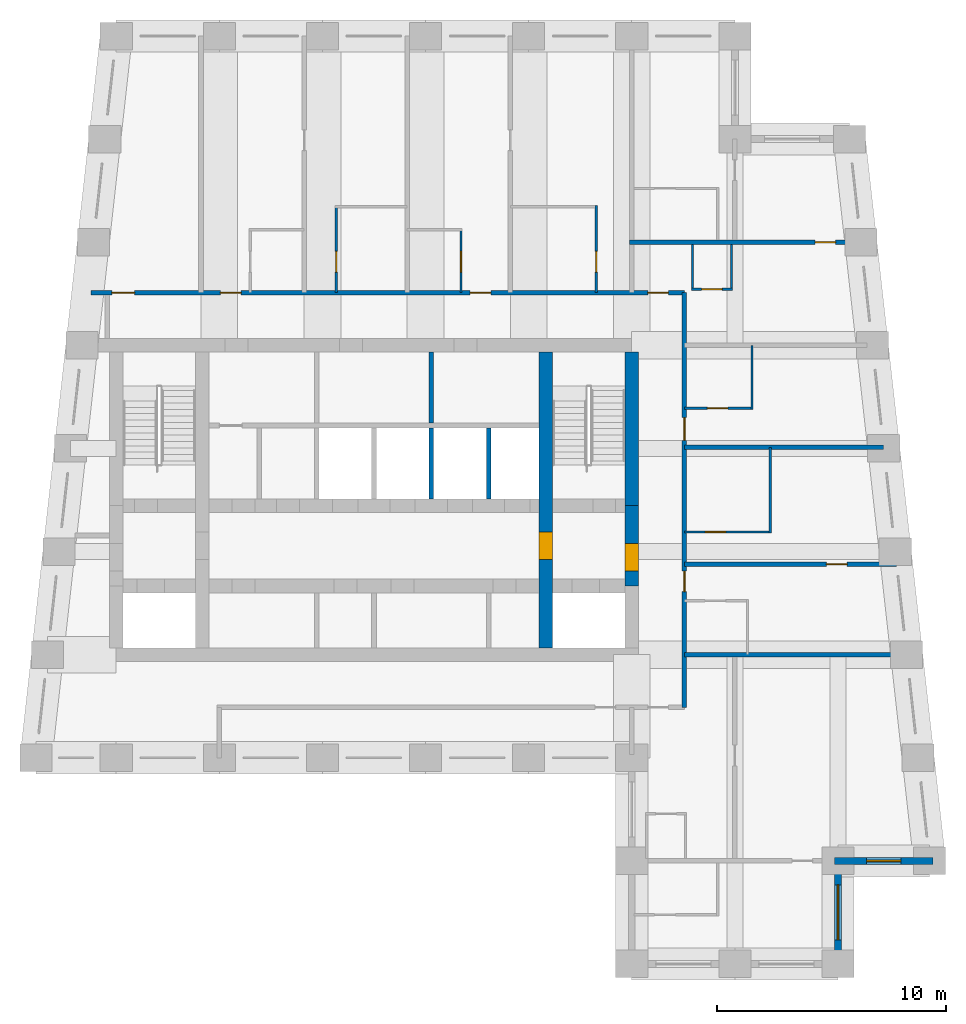
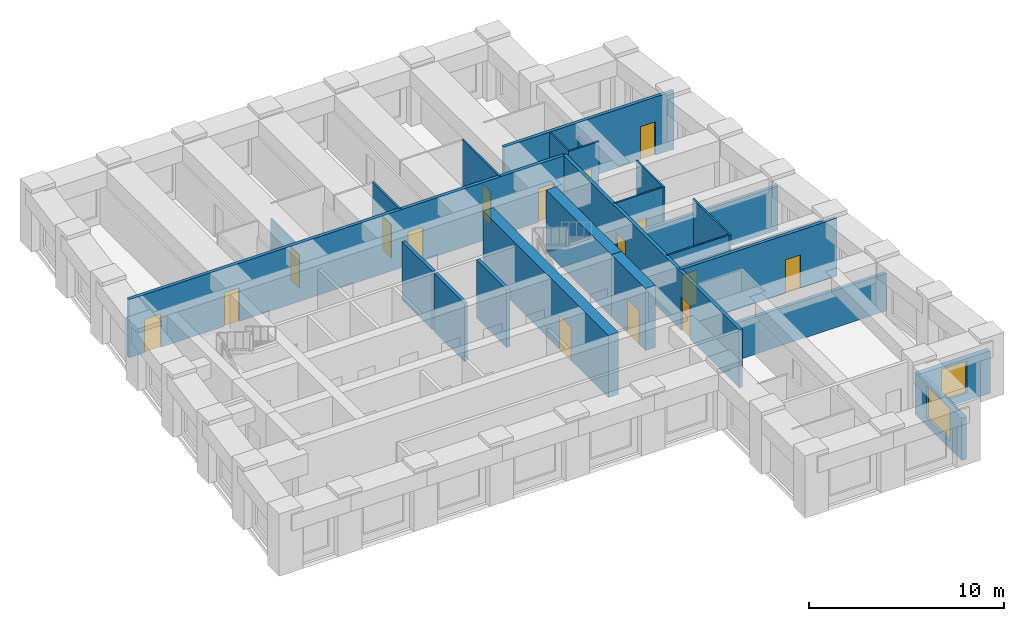
# One storey, part 4 of 7: 24 walls, 16 doors, 2 windows, 18 openings.
"""IFC4 building model written with IfcOpenShell, lengths in metres."""

from ifc_helpers import new_model, si_unit, direction, frame, frame_2d, origin, place, context, subcontext, project, spatial, rectangle, extrude, material, layer, layer_set, type_object, element, fill, save


model = new_model("IFC4")

# Units and contexts
model_context = context("Model", 3, precision=1e-05, world=origin(), true_north=direction((0.0, 1.0)))
body_context = subcontext(model_context, "Body", "Model", "MODEL_VIEW")
ifc_project = project(units=[si_unit("LENGTHUNIT", "METRE"), si_unit("AREAUNIT", "SQUARE_METRE"), si_unit("VOLUMEUNIT", "CUBIC_METRE"), si_unit("PLANEANGLEUNIT", "RADIAN"), si_unit("MASSUNIT", "GRAM", prefix="KILO")], contexts=[model_context])

# Site, building, storey
site_placement = place(None, origin())
site = spatial("IfcSite", under=ifc_project, at=site_placement, CompositionType="ELEMENT")
building_placement = place(site_placement, origin())
building = spatial("IfcBuilding", under=site, at=building_placement, Name="Kilele Tower Hotel", CompositionType="ELEMENT")
storey_placement = place(building_placement, frame((0.0, 0.0, 262.39990234375)))
storey = spatial("IfcBuildingStorey", under=building, at=storey_placement, Name="L67", CompositionType="ELEMENT", Elevation=262.39990234375)

# Wall
ifc_material_1 = material(Name="Moisture-resistant board")
ifc_layer_1 = layer(ifc_material_1, 0.10009765625)
ifc_layer_set_1 = layer_set([ifc_layer_1], Name="Moisture-resistant board")
wall_type_1 = type_object("IfcWallType", Name="Bathroom partition 100", PredefinedType="PLUMBINGWALL", material=ifc_layer_set_1)
wall_1_placement = place(storey_placement, frame((42.050048828125, 18.800048828125, 0.0), z_axis=(0.0, 0.0, 1.0), x_axis=(0.0, 1.0, 0.0)))
element("IfcWall", 1, at=wall_1_placement, inside=storey, type_object=wall_type_1, Name="Bathroom partition 100 L67", PredefinedType="PLUMBINGWALL", context=body_context, shape_type="SweptSolid", body=[
    extrude(rectangle(XDim=3.75, YDim=0.10009765625, at=frame_2d((1.875, 0.0))), origin(), (0.0, 0.0, 1.0), 3.650146484375),
])

# Wall, opening, door
wall_2_placement = place(storey_placement, frame((38.300048828125, 18.85009765625, 0.0), z_axis=(0.0, 0.0, 1.0), x_axis=(1.0, 0.0, 0.0)))
wall_2 = element("IfcWall", 2, at=wall_2_placement, inside=storey, type_object=wall_type_1, Name="Bathroom partition 100 L67", PredefinedType="PLUMBINGWALL", context=body_context, shape_type="SweptSolid", body=[
    extrude(rectangle(XDim=3.800048828125, YDim=0.10009765625, at=frame_2d((1.89990234375, 0.0))), origin(), (0.0, 0.0, 1.0), 3.650146484375),
])
opening_1_placement = place(wall_2_placement, frame((1.7998046875, 0.0, 0.0), z_axis=(0.0, 0.0, 1.0), x_axis=(-1.0, 0.0, 0.0)))
opening_1 = element("IfcOpeningElement", 3, at=opening_1_placement, cuts=wall_2, Name="Opening D2A", PredefinedType="OPENING", context=body_context, shape_type="SweptSolid", body=[
    extrude(rectangle(XDim=0.89990234375, YDim=2.10009765625, at=frame_2d((0.449951171875, 1.050048828125))), frame((0.0, 0.06005859375, 0.0), z_axis=(0.0, -1.0, 0.0), x_axis=(1.0, 0.0, 0.0)), (0.0, 0.0, 1.0), 0.1201171875),
])
ifc_material_2 = material(Name="Timber door leaf in hardwood frame", Category="wood")
door_type_1 = type_object("IfcDoorType", Name="Bathroom door 900", OperationType="SINGLE_SWING_LEFT", PredefinedType="DOOR", material=ifc_material_2)
door_1_placement = place(opening_1_placement, origin())
door_1 = element("IfcDoor", 4, at=door_1_placement, inside=storey, type_object=door_type_1, Name="Bathroom door 6704B", OperationType="SINGLE_SWING_RIGHT", OverallHeight=2.10009765625, OverallWidth=0.89990234375, PredefinedType="DOOR", context=body_context, shape_type="SweptSolid", body=[
    extrude(rectangle(XDim=0.89990234375, YDim=2.10009765625, at=frame_2d((0.449951171875, 1.050048828125))), frame((0.0, 0.02490234375, 0.0), z_axis=(0.0, -1.0, 0.0), x_axis=(1.0, 0.0, 0.0)), (0.0, 0.0, 1.0), 0.050048828125),
])
fill(opening_1, door_1)

# Wall
wall_3_placement = place(storey_placement, frame((41.25, 24.199951171875, 0.0), z_axis=(0.0, 0.0, 1.0), x_axis=(0.0, 1.0, 0.0)))
element("IfcWall", 5, at=wall_3_placement, inside=storey, type_object=wall_type_1, Name="Bathroom partition 100 L67", PredefinedType="PLUMBINGWALL", context=body_context, shape_type="SweptSolid", body=[
    extrude(rectangle(XDim=2.800048828125, YDim=0.10009765625, at=frame_2d((1.39990234375, 0.0))), origin(), (0.0, 0.0, 1.0), 3.650146484375),
])

# Wall, opening, door
wall_4_placement = place(storey_placement, frame((38.300048828125, 24.25, 0.0), z_axis=(0.0, 0.0, 1.0), x_axis=(1.0, 0.0, 0.0)))
wall_4 = element("IfcWall", 6, at=wall_4_placement, inside=storey, type_object=wall_type_1, Name="Bathroom partition 100 L67", PredefinedType="PLUMBINGWALL", context=body_context, shape_type="SweptSolid", body=[
    extrude(rectangle(XDim=3.0, YDim=0.10009765625, at=frame_2d((1.5, 0.0))), origin(), (0.0, 0.0, 1.0), 3.650146484375),
])
opening_2_placement = place(wall_4_placement, frame((1.89990234375, 0.0, 0.0), z_axis=(0.0, 0.0, 1.0), x_axis=(-1.0, 0.0, 0.0)))
opening_2 = element("IfcOpeningElement", 7, at=opening_2_placement, cuts=wall_4, Name="Opening D2A", PredefinedType="OPENING", context=body_context, shape_type="SweptSolid", body=[
    extrude(rectangle(XDim=0.89990234375, YDim=2.10009765625, at=frame_2d((0.449951171875, 1.050048828125))), frame((0.0, 0.06005859375, 0.0), z_axis=(0.0, -1.0, 0.0), x_axis=(1.0, 0.0, 0.0)), (0.0, 0.0, 1.0), 0.1201171875),
])
door_2_placement = place(opening_2_placement, origin())
door_2 = element("IfcDoor", 8, at=door_2_placement, inside=storey, type_object=door_type_1, Name="Bathroom door 6705B", OperationType="SINGLE_SWING_RIGHT", OverallHeight=2.10009765625, OverallWidth=0.89990234375, PredefinedType="DOOR", context=body_context, shape_type="SweptSolid", body=[
    extrude(rectangle(XDim=0.89990234375, YDim=2.10009765625, at=frame_2d((0.449951171875, 1.050048828125))), frame((0.0, 0.02490234375, 0.0), z_axis=(0.0, -1.0, 0.0), x_axis=(1.0, 0.0, 0.0)), (0.0, 0.0, 1.0), 0.050048828125),
])
fill(opening_2, door_2)

wall_5_placement = place(storey_placement, frame((23.10009765625, 29.300048828125, 0.0), z_axis=(0.0, 0.0, 1.0), x_axis=(0.0, 1.0, 0.0)))
wall_5 = element("IfcWall", 9, at=wall_5_placement, inside=storey, type_object=wall_type_1, Name="Bathroom partition 100 L67", PredefinedType="PLUMBINGWALL", context=body_context, shape_type="SweptSolid", body=[
    extrude(rectangle(XDim=3.800048828125, YDim=0.10009765625, at=frame_2d((1.89990234375, 0.0))), origin(), (0.0, 0.0, 1.0), 2.650146484375),
])
opening_3_placement = place(wall_5_placement, frame((0.89990234375, 0.0, 0.0)))
opening_3 = element("IfcOpeningElement", 10, at=opening_3_placement, cuts=wall_5, Name="Opening D2A", PredefinedType="OPENING", context=body_context, shape_type="SweptSolid", body=[
    extrude(rectangle(XDim=0.89990234375, YDim=2.10009765625, at=frame_2d((0.449951171875, 1.050048828125))), frame((0.0, 0.06005859375, 0.0), z_axis=(0.0, -1.0, 0.0), x_axis=(1.0, 0.0, 0.0)), (0.0, 0.0, 1.0), 0.1201171875),
])
door_3_placement = place(opening_3_placement, origin())
door_3 = element("IfcDoor", 11, at=door_3_placement, inside=storey, type_object=door_type_1, Name="Bathroom door 6708B", OperationType="SINGLE_SWING_LEFT", OverallHeight=2.10009765625, OverallWidth=0.89990234375, PredefinedType="DOOR", context=body_context, shape_type="SweptSolid", body=[
    extrude(rectangle(XDim=0.89990234375, YDim=2.10009765625, at=frame_2d((0.449951171875, 1.050048828125))), frame((0.0, 0.02490234375, 0.0), z_axis=(0.0, -1.0, 0.0), x_axis=(1.0, 0.0, 0.0)), (0.0, 0.0, 1.0), 0.050048828125),
])
fill(opening_3, door_3)

wall_6_placement = place(storey_placement, frame((28.550048828125, 29.300048828125, 0.0), z_axis=(0.0, 0.0, 1.0), x_axis=(0.0, 1.0, 0.0)))
wall_6 = element("IfcWall", 12, at=wall_6_placement, inside=storey, type_object=wall_type_1, Name="Bathroom partition 100 L67", PredefinedType="PLUMBINGWALL", context=body_context, shape_type="SweptSolid", body=[
    extrude(rectangle(XDim=2.800048828125, YDim=0.10009765625, at=frame_2d((1.39990234375, 0.0))), origin(), (0.0, 0.0, 1.0), 3.650146484375),
])
opening_4_placement = place(wall_6_placement, frame((1.7998046875, 0.0, 0.0), z_axis=(0.0, 0.0, 1.0), x_axis=(-1.0, 0.0, 0.0)))
opening_4 = element("IfcOpeningElement", 13, at=opening_4_placement, cuts=wall_6, Name="Opening D2A", PredefinedType="OPENING", context=body_context, shape_type="SweptSolid", body=[
    extrude(rectangle(XDim=0.89990234375, YDim=2.10009765625, at=frame_2d((0.449951171875, 1.050048828125))), frame((0.0, 0.06005859375, 0.0), z_axis=(0.0, -1.0, 0.0), x_axis=(1.0, 0.0, 0.0)), (0.0, 0.0, 1.0), 0.1201171875),
])
door_4_placement = place(opening_4_placement, origin())
door_4 = element("IfcDoor", 14, at=door_4_placement, inside=storey, type_object=door_type_1, Name="Bathroom door 6709B", OperationType="SINGLE_SWING_RIGHT", OverallHeight=2.10009765625, OverallWidth=0.89990234375, PredefinedType="DOOR", context=body_context, shape_type="SweptSolid", body=[
    extrude(rectangle(XDim=0.89990234375, YDim=2.10009765625, at=frame_2d((0.449951171875, 1.050048828125))), frame((0.0, 0.02490234375, 0.0), z_axis=(0.0, -1.0, 0.0), x_axis=(1.0, 0.0, 0.0)), (0.0, 0.0, 1.0), 0.050048828125),
])
fill(opening_4, door_4)

wall_7_placement = place(storey_placement, frame((34.449951171875, 29.300048828125, 0.0), z_axis=(0.0, 0.0, 1.0), x_axis=(0.0, 1.0, 0.0)))
wall_7 = element("IfcWall", 15, at=wall_7_placement, inside=storey, type_object=wall_type_1, Name="Bathroom partition 100 L67", PredefinedType="PLUMBINGWALL", context=body_context, shape_type="SweptSolid", body=[
    extrude(rectangle(XDim=3.800048828125, YDim=0.10009765625, at=frame_2d((1.89990234375, 0.0))), origin(), (0.0, 0.0, 1.0), 3.650146484375),
])
opening_5_placement = place(wall_7_placement, frame((1.7998046875, 0.0, 0.0), z_axis=(0.0, 0.0, 1.0), x_axis=(-1.0, 0.0, 0.0)))
opening_5 = element("IfcOpeningElement", 16, at=opening_5_placement, cuts=wall_7, Name="Opening D2A", PredefinedType="OPENING", context=body_context, shape_type="SweptSolid", body=[
    extrude(rectangle(XDim=0.89990234375, YDim=2.10009765625, at=frame_2d((0.449951171875, 1.050048828125))), frame((0.0, 0.06005859375, 0.0), z_axis=(0.0, -1.0, 0.0), x_axis=(1.0, 0.0, 0.0)), (0.0, 0.0, 1.0), 0.1201171875),
])
door_5_placement = place(opening_5_placement, origin())
door_5 = element("IfcDoor", 17, at=door_5_placement, inside=storey, type_object=door_type_1, Name="Bathroom door 6710B", OperationType="SINGLE_SWING_RIGHT", OverallHeight=2.10009765625, OverallWidth=0.89990234375, PredefinedType="DOOR", context=body_context, shape_type="SweptSolid", body=[
    extrude(rectangle(XDim=0.89990234375, YDim=2.10009765625, at=frame_2d((0.449951171875, 1.050048828125))), frame((0.0, 0.02490234375, 0.0), z_axis=(0.0, -1.0, 0.0), x_axis=(1.0, 0.0, 0.0)), (0.0, 0.0, 1.0), 0.050048828125),
])
fill(opening_5, door_5)

# Walls
wall_8_placement = place(storey_placement, frame((40.35009765625, 31.39990234375, 0.0), z_axis=(0.0, 0.0, 1.0), x_axis=(0.0, -1.0, 0.0)))
element("IfcWall", 18, at=wall_8_placement, inside=storey, type_object=wall_type_1, Name="Bathroom partition 100 L67", PredefinedType="PLUMBINGWALL", context=body_context, shape_type="SweptSolid", body=[
    extrude(rectangle(XDim=2.0, YDim=0.10009765625, at=frame_2d((1.0, 0.0))), origin(), (0.0, 0.0, 1.0), 2.75),
])
wall_9_placement = place(storey_placement, frame((38.64990234375, 31.39990234375, 0.0), z_axis=(0.0, 0.0, 1.0), x_axis=(0.0, -1.0, 0.0)))
element("IfcWall", 19, at=wall_9_placement, inside=storey, type_object=wall_type_1, Name="Bathroom partition 100 L67", PredefinedType="PLUMBINGWALL", context=body_context, shape_type="SweptSolid", body=[
    extrude(rectangle(XDim=2.0, YDim=0.10009765625, at=frame_2d((1.0, 0.0))), origin(), (0.0, 0.0, 1.0), 3.650146484375),
])

# Wall, opening, door
wall_10_placement = place(storey_placement, frame((38.60009765625, 29.449951171875, 0.0), z_axis=(0.0, 0.0, 1.0), x_axis=(1.0, 0.0, 0.0)))
wall_10 = element("IfcWall", 20, at=wall_10_placement, inside=storey, type_object=wall_type_1, Name="Bathroom partition 100 L67", PredefinedType="PLUMBINGWALL", context=body_context, shape_type="SweptSolid", body=[
    extrude(rectangle(XDim=1.7998046875, YDim=0.10009765625, at=frame_2d((0.89990234375, 0.0))), origin(), (0.0, 0.0, 1.0), 3.650146484375),
])
opening_6_placement = place(wall_10_placement, frame((1.349853515625, 0.0, 0.0), z_axis=(0.0, 0.0, 1.0), x_axis=(-1.0, 0.0, 0.0)))
opening_6 = element("IfcOpeningElement", 21, at=opening_6_placement, cuts=wall_10, Name="Opening D2A", PredefinedType="OPENING", context=body_context, shape_type="SweptSolid", body=[
    extrude(rectangle(XDim=0.89990234375, YDim=2.10009765625, at=frame_2d((0.449951171875, 1.050048828125))), frame((0.0, 0.06005859375, 0.0), z_axis=(0.0, -1.0, 0.0), x_axis=(1.0, 0.0, 0.0)), (0.0, 0.0, 1.0), 0.1201171875),
])
door_6_placement = place(opening_6_placement, origin())
door_6 = element("IfcDoor", 22, at=door_6_placement, inside=storey, type_object=door_type_1, Name="Bathroom door 6714P", OperationType="SINGLE_SWING_RIGHT", OverallHeight=2.10009765625, OverallWidth=0.89990234375, PredefinedType="DOOR", context=body_context, shape_type="SweptSolid", body=[
    extrude(rectangle(XDim=0.89990234375, YDim=2.10009765625, at=frame_2d((0.449951171875, 1.050048828125))), frame((0.0, 0.02490234375, 0.0), z_axis=(0.0, -1.0, 0.0), x_axis=(1.0, 0.0, 0.0)), (0.0, 0.0, 1.0), 0.050048828125),
])
fill(opening_6, door_6)

ifc_material_3 = material(Name="Concrete C60/75", Category="concrete")
ifc_layer_2 = layer(ifc_material_3, 0.60009765625)
ifc_layer_set_2 = layer_set([ifc_layer_2], Name="Concrete C60/75")
wall_type_2 = type_object("IfcWallType", Name="Core wall 600 C60/75", PredefinedType="SHEAR", material=ifc_layer_set_2)
wall_11_placement = place(storey_placement, frame((32.25, 13.800048828125, 0.0), z_axis=(0.0, 0.0, 1.0), x_axis=(0.0, 1.0, 0.0)))
wall_11 = element("IfcWall", 23, at=wall_11_placement, inside=storey, type_object=wall_type_2, Name="Core wall IE L67", PredefinedType="SHEAR", context=body_context, shape_type="SweptSolid", body=[
    extrude(rectangle(XDim=12.89990234375, YDim=0.60009765625, at=frame_2d((6.449951171875, 0.0))), origin(), (0.0, 0.0, 1.0), 3.900146484375),
])
opening_7_placement = place(wall_11_placement, frame((5.050048828125, 0.0, 0.0), z_axis=(0.0, 0.0, 1.0), x_axis=(-1.0, 0.0, 0.0)))
opening_7 = element("IfcOpeningElement", 24, at=opening_7_placement, cuts=wall_11, Name="Opening D4", PredefinedType="OPENING", context=body_context, shape_type="SweptSolid", body=[
    extrude(rectangle(XDim=1.199951171875, YDim=2.10009765625, at=frame_2d((0.60009765625, 1.050048828125))), frame((0.0, 0.31005859375, 0.0), z_axis=(0.0, -1.0, 0.0), x_axis=(1.0, 0.0, 0.0)), (0.0, 0.0, 1.0), 0.6201171875),
])
ifc_material_4 = material(Name="Timber door leaf in hardwood frame", Category="wood")
door_type_2 = type_object("IfcDoorType", Name="Firefighting lobby door 1200", OperationType="SINGLE_SWING_LEFT", PredefinedType="DOOR", material=ifc_material_4)
door_7_placement = place(opening_7_placement, origin())
door_7 = element("IfcDoor", 25, at=door_7_placement, inside=storey, type_object=door_type_2, Name="Lobby door L67", OperationType="SINGLE_SWING_RIGHT", OverallHeight=2.10009765625, OverallWidth=1.199951171875, PredefinedType="DOOR", context=body_context, shape_type="SweptSolid", body=[
    extrude(rectangle(XDim=1.199951171875, YDim=2.10009765625, at=frame_2d((0.60009765625, 1.050048828125))), frame((0.0, 0.2998046875, 0.0), z_axis=(0.0, -1.0, 0.0), x_axis=(1.0, 0.0, 0.0)), (0.0, 0.0, 1.0), 0.599609375),
])
fill(opening_7, door_7)

wall_12_placement = place(storey_placement, frame((36.0, 16.5, 0.0), z_axis=(0.0, 0.0, 1.0), x_axis=(0.0, 1.0, 0.0)))
wall_12 = element("IfcWall", 26, at=wall_12_placement, inside=storey, type_object=wall_type_2, Name="Core wall E2 L67", PredefinedType="SHEAR", context=body_context, shape_type="SweptSolid", body=[
    extrude(rectangle(XDim=3.5, YDim=0.60009765625, at=frame_2d((1.75, 0.0))), origin(), (0.0, 0.0, 1.0), 3.900146484375),
])
opening_8_placement = place(wall_12_placement, frame((0.64990234375, 0.0, 0.0)))
opening_8 = element("IfcOpeningElement", 27, at=opening_8_placement, cuts=wall_12, Name="Opening D4", PredefinedType="OPENING", context=body_context, shape_type="SweptSolid", body=[
    extrude(rectangle(XDim=1.199951171875, YDim=2.10009765625, at=frame_2d((0.60009765625, 1.050048828125))), frame((0.0, 0.31005859375, 0.0), z_axis=(0.0, -1.0, 0.0), x_axis=(1.0, 0.0, 0.0)), (0.0, 0.0, 1.0), 0.6201171875),
])
door_8_placement = place(opening_8_placement, origin())
door_8 = element("IfcDoor", 28, at=door_8_placement, inside=storey, type_object=door_type_2, Name="Lobby door L67", OperationType="SINGLE_SWING_LEFT", OverallHeight=2.10009765625, OverallWidth=1.199951171875, PredefinedType="DOOR", context=body_context, shape_type="SweptSolid", body=[
    extrude(rectangle(XDim=1.199951171875, YDim=2.10009765625, at=frame_2d((0.60009765625, 1.050048828125))), frame((0.0, 0.2998046875, 0.0), z_axis=(0.0, -1.0, 0.0), x_axis=(1.0, 0.0, 0.0)), (0.0, 0.0, 1.0), 0.599609375),
])
fill(opening_8, door_8)

# Wall
wall_13_placement = place(storey_placement, frame((36.0, 20.0, 0.0), z_axis=(0.0, 0.0, 1.0), x_axis=(0.0, 1.0, 0.0)))
element("IfcWall", 29, at=wall_13_placement, inside=storey, type_object=wall_type_2, Name="Core wall E3 L67", PredefinedType="SHEAR", context=body_context, shape_type="SweptSolid", body=[
    extrude(rectangle(XDim=6.699951171875, YDim=0.60009765625, at=frame_2d((3.35009765625, 0.0))), origin(), (0.0, 0.0, 1.0), 3.900146484375),
])

# Wall, openings, doors
ifc_material_5 = material(Name="Blockwork, plastered both sides", Category="masonry")
ifc_layer_3 = layer(ifc_material_5, 0.199951171875)
ifc_layer_set_3 = layer_set([ifc_layer_3], Name="Blockwork, plastered both sides")
wall_type_3 = type_object("IfcWallType", Name="Corridor wall 200", PredefinedType="PARTITIONING", material=ifc_layer_set_3)
wall_14_placement = place(storey_placement, frame((12.406494140625, 29.300048828125, 0.0), z_axis=(0.0, 0.0, 1.0), x_axis=(1.0, 0.0, 0.0)))
wall_14 = element("IfcWall", 30, at=wall_14_placement, inside=storey, type_object=wall_type_3, Name="Corridor wall 200 L67", PredefinedType="PARTITIONING", context=body_context, shape_type="SweptSolid", body=[
    extrude(rectangle(XDim=25.8935546875, YDim=0.199951171875, at=frame_2d((12.94677734375, 0.0))), origin(), (0.0, 0.0, 1.0), 3.650146484375),
])
opening_9_placement = place(wall_14_placement, frame((0.89990234375, 0.0, 0.0)))
opening_9 = element("IfcOpeningElement", 31, at=opening_9_placement, cuts=wall_14, Name="Opening D8", PredefinedType="OPENING", context=body_context, shape_type="SweptSolid", body=[
    extrude(rectangle(XDim=1.0, YDim=2.10009765625, at=frame_2d((0.5, 1.050048828125))), frame((0.0, 0.10986328125, 0.0), z_axis=(0.0, -1.0, 0.0), x_axis=(1.0, 0.0, 0.0)), (0.0, 0.0, 1.0), 0.219970703125),
])
opening_10_placement = place(wall_14_placement, frame((5.6435546875, 0.0, 0.0)))
opening_10 = element("IfcOpeningElement", 32, at=opening_10_placement, cuts=wall_14, Name="Opening D1", PredefinedType="OPENING", context=body_context, shape_type="SweptSolid", body=[
    extrude(rectangle(XDim=0.89990234375, YDim=2.10009765625, at=frame_2d((0.449951171875, 1.050048828125))), frame((0.0, 0.10986328125, 0.0), z_axis=(0.0, -1.0, 0.0), x_axis=(1.0, 0.0, 0.0)), (0.0, 0.0, 1.0), 0.219970703125),
])
opening_11_placement = place(wall_14_placement, frame((16.54345703125, 0.0, 0.0)))
opening_11 = element("IfcOpeningElement", 33, at=opening_11_placement, cuts=wall_14, Name="Opening D1", PredefinedType="OPENING", context=body_context, shape_type="SweptSolid", body=[
    extrude(rectangle(XDim=0.89990234375, YDim=2.10009765625, at=frame_2d((0.449951171875, 1.050048828125))), frame((0.0, 0.10986328125, 0.0), z_axis=(0.0, -1.0, 0.0), x_axis=(1.0, 0.0, 0.0)), (0.0, 0.0, 1.0), 0.219970703125),
])
opening_12_placement = place(wall_14_placement, frame((24.29345703125, 0.0, 0.0)))
opening_12 = element("IfcOpeningElement", 34, at=opening_12_placement, cuts=wall_14, Name="Opening D1", PredefinedType="OPENING", context=body_context, shape_type="SweptSolid", body=[
    extrude(rectangle(XDim=0.89990234375, YDim=2.10009765625, at=frame_2d((0.449951171875, 1.050048828125))), frame((0.0, 0.10986328125, 0.0), z_axis=(0.0, -1.0, 0.0), x_axis=(1.0, 0.0, 0.0)), (0.0, 0.0, 1.0), 0.219970703125),
])
ifc_material_6 = material(Name="Timber door leaf in hardwood frame", Category="wood")
door_type_3 = type_object("IfcDoorType", Name="Door 1000", OperationType="SINGLE_SWING_LEFT", PredefinedType="DOOR", material=ifc_material_6)
door_9_placement = place(opening_9_placement, origin())
door_9 = element("IfcDoor", 35, at=door_9_placement, inside=storey, type_object=door_type_3, Name="Room entrance 6706", OperationType="SINGLE_SWING_LEFT", OverallHeight=2.10009765625, OverallWidth=1.0, PredefinedType="DOOR", context=body_context, shape_type="SweptSolid", body=[
    extrude(rectangle(XDim=1.0, YDim=2.10009765625, at=frame_2d((0.5, 1.050048828125))), frame((0.0, 0.02490234375, 0.0), z_axis=(0.0, -1.0, 0.0), x_axis=(1.0, 0.0, 0.0)), (0.0, 0.0, 1.0), 0.050048828125),
])
fill(opening_9, door_9)
ifc_material_7 = material(Name="Timber door leaf in hardwood frame", Category="wood")
door_type_4 = type_object("IfcDoorType", Name="Guest room entrance door 900", OperationType="SINGLE_SWING_LEFT", PredefinedType="DOOR", material=ifc_material_7)
door_10_placement = place(opening_10_placement, origin())
door_10 = element("IfcDoor", 36, at=door_10_placement, inside=storey, type_object=door_type_4, Name="Room entrance 6707", OperationType="SINGLE_SWING_RIGHT", OverallHeight=2.10009765625, OverallWidth=0.89990234375, PredefinedType="DOOR", context=body_context, shape_type="SweptSolid", body=[
    extrude(rectangle(XDim=0.89990234375, YDim=2.10009765625, at=frame_2d((0.449951171875, 1.050048828125))), frame((0.0, 0.02490234375, 0.0), z_axis=(0.0, -1.0, 0.0), x_axis=(1.0, 0.0, 0.0)), (0.0, 0.0, 1.0), 0.050048828125),
])
fill(opening_10, door_10)
door_11_placement = place(opening_11_placement, origin())
door_11 = element("IfcDoor", 37, at=door_11_placement, inside=storey, type_object=door_type_4, Name="Room entrance 6709", OperationType="SINGLE_SWING_LEFT", OverallHeight=2.10009765625, OverallWidth=0.89990234375, PredefinedType="DOOR", context=body_context, shape_type="SweptSolid", body=[
    extrude(rectangle(XDim=0.89990234375, YDim=2.10009765625, at=frame_2d((0.449951171875, 1.050048828125))), frame((0.0, 0.02490234375, 0.0), z_axis=(0.0, -1.0, 0.0), x_axis=(1.0, 0.0, 0.0)), (0.0, 0.0, 1.0), 0.050048828125),
])
fill(opening_11, door_11)
door_12_placement = place(opening_12_placement, origin())
door_12 = element("IfcDoor", 38, at=door_12_placement, inside=storey, type_object=door_type_4, Name="Room entrance 6714", OperationType="SINGLE_SWING_LEFT", OverallHeight=2.10009765625, OverallWidth=0.89990234375, PredefinedType="DOOR", context=body_context, shape_type="SweptSolid", body=[
    extrude(rectangle(XDim=0.89990234375, YDim=2.10009765625, at=frame_2d((0.449951171875, 1.050048828125))), frame((0.0, 0.02490234375, 0.0), z_axis=(0.0, -1.0, 0.0), x_axis=(1.0, 0.0, 0.0)), (0.0, 0.0, 1.0), 0.050048828125),
])
fill(opening_12, door_12)

wall_15_placement = place(storey_placement, frame((38.300048828125, 11.199951171875, 0.0), z_axis=(0.0, 0.0, 1.0), x_axis=(0.0, 1.0, 0.0)))
wall_15 = element("IfcWall", 39, at=wall_15_placement, inside=storey, type_object=wall_type_3, Name="Corridor wall 200 L67", PredefinedType="PARTITIONING", context=body_context, shape_type="SweptSolid", body=[
    extrude(rectangle(XDim=18.10009765625, YDim=0.199951171875, at=frame_2d((9.050048828125, 0.0))), origin(), (0.0, 0.0, 1.0), 3.650146484375),
])
opening_13_placement = place(wall_15_placement, frame((5.949951171875, 0.0, 0.0), z_axis=(0.0, 0.0, 1.0), x_axis=(-1.0, 0.0, 0.0)))
opening_13 = element("IfcOpeningElement", 40, at=opening_13_placement, cuts=wall_15, Name="Opening D1", PredefinedType="OPENING", context=body_context, shape_type="SweptSolid", body=[
    extrude(rectangle(XDim=0.89990234375, YDim=2.10009765625, at=frame_2d((0.449951171875, 1.050048828125))), frame((0.0, 0.10986328125, 0.0), z_axis=(0.0, -1.0, 0.0), x_axis=(1.0, 0.0, 0.0)), (0.0, 0.0, 1.0), 0.219970703125),
])
opening_14_placement = place(wall_15_placement, frame((12.64990234375, 0.0, 0.0), z_axis=(0.0, 0.0, 1.0), x_axis=(-1.0, 0.0, 0.0)))
opening_14 = element("IfcOpeningElement", 41, at=opening_14_placement, cuts=wall_15, Name="Opening D1A", PredefinedType="OPENING", context=body_context, shape_type="SweptSolid", body=[
    extrude(rectangle(XDim=1.0, YDim=2.10009765625, at=frame_2d((0.5, 1.050048828125))), frame((0.0, 0.10986328125, 0.0), z_axis=(0.0, -1.0, 0.0), x_axis=(1.0, 0.0, 0.0)), (0.0, 0.0, 1.0), 0.219970703125),
])
ifc_material_8 = material(Name="Timber door leaf in hardwood frame", Category="wood")
door_type_5 = type_object("IfcDoorType", Name="Guest room entrance door 1000", OperationType="SINGLE_SWING_LEFT", PredefinedType="DOOR", material=ifc_material_8)
door_13_placement = place(opening_14_placement, origin())
door_13 = element("IfcDoor", 42, at=door_13_placement, inside=storey, type_object=door_type_5, Name="Room entrance 6705", OperationType="SINGLE_SWING_RIGHT", OverallHeight=2.10009765625, OverallWidth=1.0, PredefinedType="DOOR", context=body_context, shape_type="SweptSolid", body=[
    extrude(rectangle(XDim=1.0, YDim=2.10009765625, at=frame_2d((0.5, 1.050048828125))), frame((0.0, 0.02490234375, 0.0), z_axis=(0.0, -1.0, 0.0), x_axis=(1.0, 0.0, 0.0)), (0.0, 0.0, 1.0), 0.050048828125),
])
fill(opening_14, door_13)
door_14_placement = place(opening_13_placement, origin())
door_14 = element("IfcDoor", 43, at=door_14_placement, inside=storey, type_object=door_type_4, Name="Room entrance 6703", OperationType="SINGLE_SWING_LEFT", OverallHeight=2.10009765625, OverallWidth=0.89990234375, PredefinedType="DOOR", context=body_context, shape_type="SweptSolid", body=[
    extrude(rectangle(XDim=0.89990234375, YDim=2.10009765625, at=frame_2d((0.449951171875, 1.050048828125))), frame((0.0, 0.02490234375, 0.0), z_axis=(0.0, -1.0, 0.0), x_axis=(1.0, 0.0, 0.0)), (0.0, 0.0, 1.0), 0.050048828125),
])
fill(opening_13, door_14)

# Wall, opening, door
ifc_material_9 = material(Name="Blockwork, plastered both sides", Category="masonry")
ifc_layer_4 = layer(ifc_material_9, 0.199951171875)
ifc_layer_set_4 = layer_set([ifc_layer_4], Name="Blockwork, plastered both sides")
wall_type_4 = type_object("IfcWallType", Name="Party wall 200", PredefinedType="PARTITIONING", material=ifc_layer_set_4)
wall_16_placement = place(storey_placement, frame((38.300048828125, 17.449951171875, 0.0), z_axis=(0.0, 0.0, 1.0), x_axis=(1.0, 0.0, 0.0)))
wall_16 = element("IfcWall", 44, at=wall_16_placement, inside=storey, type_object=wall_type_4, Name="Party wall 200 L67", PredefinedType="PARTITIONING", context=body_context, shape_type="SweptSolid", body=[
    extrude(rectangle(XDim=9.26025390625, YDim=0.199951171875, at=frame_2d((4.630126953125, 0.0))), origin(), (0.0, 0.0, 1.0), 3.650146484375),
])
opening_15_placement = place(wall_16_placement, frame((6.199951171875, 0.0, 0.0)))
opening_15 = element("IfcOpeningElement", 45, at=opening_15_placement, cuts=wall_16, Name="Opening D3", PredefinedType="OPENING", context=body_context, shape_type="SweptSolid", body=[
    extrude(rectangle(XDim=0.89990234375, YDim=2.10009765625, at=frame_2d((0.449951171875, 1.050048828125))), frame((0.0, 0.10986328125, 0.0), z_axis=(0.0, -1.0, 0.0), x_axis=(1.0, 0.0, 0.0)), (0.0, 0.0, 1.0), 0.219970703125),
])
ifc_material_10 = material(Name="Timber door leaf in hardwood frame", Category="wood")
door_type_6 = type_object("IfcDoorType", Name="Suite internal door 900", OperationType="SINGLE_SWING_LEFT", PredefinedType="DOOR", material=ifc_material_10)
door_15_placement = place(opening_15_placement, origin())
door_15 = element("IfcDoor", 46, at=door_15_placement, inside=storey, type_object=door_type_6, Name="Suite door 6704", OperationType="SINGLE_SWING_RIGHT", OverallHeight=2.10009765625, OverallWidth=0.89990234375, PredefinedType="DOOR", context=body_context, shape_type="SweptSolid", body=[
    extrude(rectangle(XDim=0.89990234375, YDim=2.10009765625, at=frame_2d((0.449951171875, 1.050048828125))), frame((0.0, 0.02490234375, 0.0), z_axis=(0.0, -1.0, 0.0), x_axis=(1.0, 0.0, 0.0)), (0.0, 0.0, 1.0), 0.050048828125),
])
fill(opening_15, door_15)

# Walls
wall_17_placement = place(storey_placement, frame((38.300048828125, 22.550048828125, 0.0), z_axis=(0.0, 0.0, 1.0), x_axis=(1.0, 0.0, 0.0)))
element("IfcWall", 47, at=wall_17_placement, inside=storey, type_object=wall_type_4, Name="Party wall 200 L67", PredefinedType="PARTITIONING", context=body_context, shape_type="SweptSolid", body=[
    extrude(rectangle(XDim=8.693359375, YDim=0.199951171875, at=frame_2d((4.3466796875, 0.0))), origin(), (0.0, 0.0, 1.0), 2.75),
])
wall_18_placement = place(storey_placement, frame((38.300048828125, 13.5, 0.0), z_axis=(0.0, 0.0, 1.0), x_axis=(1.0, 0.0, 0.0)))
element("IfcWall", 48, at=wall_18_placement, inside=storey, type_object=wall_type_4, Name="Party wall 200 L67", PredefinedType="PARTITIONING", context=body_context, shape_type="SweptSolid", body=[
    extrude(rectangle(XDim=9.921142578125, YDim=0.199951171875, at=frame_2d((4.96044921875, 0.0))), origin(), (0.0, 0.0, 1.0), 2.35009765625),
])

# Wall, opening, door
wall_19_placement = place(storey_placement, frame((35.89990234375, 31.5, 0.0), z_axis=(0.0, 0.0, 1.0), x_axis=(1.0, 0.0, 0.0)))
wall_19 = element("IfcWall", 49, at=wall_19_placement, inside=storey, type_object=wall_type_4, Name="Party wall 200 L67", PredefinedType="PARTITIONING", context=body_context, shape_type="SweptSolid", body=[
    extrude(rectangle(XDim=10.09912109375, YDim=0.199951171875, at=frame_2d((5.049560546875, 0.0))), origin(), (0.0, 0.0, 1.0), 3.650146484375),
])
opening_16_placement = place(wall_19_placement, frame((8.09912109375, 0.0, 0.0)))
opening_16 = element("IfcOpeningElement", 50, at=opening_16_placement, cuts=wall_19, Name="Opening D3", PredefinedType="OPENING", context=body_context, shape_type="SweptSolid", body=[
    extrude(rectangle(XDim=0.89990234375, YDim=2.10009765625, at=frame_2d((0.449951171875, 1.050048828125))), frame((0.0, 0.10986328125, 0.0), z_axis=(0.0, -1.0, 0.0), x_axis=(1.0, 0.0, 0.0)), (0.0, 0.0, 1.0), 0.219970703125),
])
door_16_placement = place(opening_16_placement, origin())
door_16 = element("IfcDoor", 51, at=door_16_placement, inside=storey, type_object=door_type_6, Name="Suite door 6715", OperationType="SINGLE_SWING_RIGHT", OverallHeight=2.10009765625, OverallWidth=0.89990234375, PredefinedType="DOOR", context=body_context, shape_type="SweptSolid", body=[
    extrude(rectangle(XDim=0.89990234375, YDim=2.10009765625, at=frame_2d((0.449951171875, 1.050048828125))), frame((0.0, 0.02490234375, 0.0), z_axis=(0.0, -1.0, 0.0), x_axis=(1.0, 0.0, 0.0)), (0.0, 0.0, 1.0), 0.050048828125),
])
fill(opening_16, door_16)

# Wall, opening, window
ifc_material_11 = material(Name="Concrete C40/50 precast", Category="concrete")
ifc_layer_5 = layer(ifc_material_11, 0.260009765625, Name="Precast backing", Category="LoadBearing")
ifc_material_12 = material(Name="Reconstituted stone finish", Category="masonry")
ifc_layer_6 = layer(ifc_material_12, 0.0400390625, Name="Face mix", Category="Finish")
ifc_layer_set_5 = layer_set([ifc_layer_5, ifc_layer_6], Name="Precast concrete C40/50, reconstituted stone finish")
wall_type_5 = type_object("IfcWallType", Name="Precast stone facade wall 300", PredefinedType="STANDARD", material=ifc_layer_set_5)
wall_20_placement = place(storey_placement, frame((45.0, -0.14990234375, 0.0), z_axis=(0.0, 0.0, 1.0), x_axis=(0.0, 1.0, 0.0)))
wall_20 = element("IfcWall", 52, at=wall_20_placement, inside=storey, type_object=wall_type_5, Name="Facade wall L67 edge 4", PredefinedType="STANDARD", context=body_context, shape_type="SweptSolid", body=[
    extrude(rectangle(XDim=4.7998046875, YDim=0.300048828125, at=frame_2d((2.39990234375, 0.0))), origin(), (0.0, 0.0, 1.0), 2.650146484375),
])
opening_17_placement = place(wall_20_placement, frame((1.199951171875, 0.0, 0.5)))
opening_17 = element("IfcOpeningElement", 53, at=opening_17_placement, cuts=wall_20, Name="Opening W4", PredefinedType="OPENING", context=body_context, shape_type="SweptSolid", body=[
    extrude(rectangle(XDim=2.39990234375, YDim=2.0, at=frame_2d((1.199951171875, 1.0))), frame((0.0, 0.159912109375, 0.0), z_axis=(0.0, -1.0, 0.0), x_axis=(1.0, 0.0, 0.0)), (0.0, 0.0, 1.0), 0.320068359375),
])
ifc_material_13 = material(Name="Aluminium frame, clear double glazing", Category="aluminium")
window_type_1 = type_object("IfcWindowType", Name="Window W4 2400 x 2000", PartitioningType="SINGLE_PANEL", PredefinedType="WINDOW", material=ifc_material_13)
window_1_placement = place(opening_17_placement, origin())
window_1 = element("IfcWindow", 54, at=window_1_placement, inside=storey, type_object=window_type_1, Name="Window L67", OverallHeight=2.0, OverallWidth=2.39990234375, PartitioningType="SINGLE_PANEL", PredefinedType="WINDOW", context=body_context, shape_type="SweptSolid", body=[
    extrude(rectangle(XDim=2.39990234375, YDim=2.0, at=frame_2d((1.199951171875, 1.0))), frame((0.0, 0.030029296875, 0.0), z_axis=(0.0, -1.0, 0.0), x_axis=(1.0, 0.0, 0.0)), (0.0, 0.0, 1.0), 0.06005859375),
])
fill(opening_17, window_1)

wall_21_placement = place(storey_placement, frame((44.85009765625, 4.5, 0.0), z_axis=(0.0, 0.0, 1.0), x_axis=(1.0, 0.0, 0.0)))
wall_21 = element("IfcWall", 55, at=wall_21_placement, inside=storey, type_object=wall_type_5, Name="Facade wall L67 edge 5", PredefinedType="STANDARD", context=body_context, shape_type="SweptSolid", body=[
    extrude(rectangle(XDim=4.2998046875, YDim=0.300048828125, at=frame_2d((2.14990234375, 0.0))), origin(), (0.0, 0.0, 1.0), 2.650146484375),
])
opening_18_placement = place(wall_21_placement, frame((1.39990234375, 0.0, 0.5)))
opening_18 = element("IfcOpeningElement", 56, at=opening_18_placement, cuts=wall_21, Name="Opening W4", PredefinedType="OPENING", context=body_context, shape_type="SweptSolid", body=[
    extrude(rectangle(XDim=1.5, YDim=2.0, at=frame_2d((0.75, 1.0))), frame((0.0, 0.159912109375, 0.0), z_axis=(0.0, -1.0, 0.0), x_axis=(1.0, 0.0, 0.0)), (0.0, 0.0, 1.0), 0.320068359375),
])
ifc_material_14 = material(Name="Aluminium frame, clear double glazing", Category="aluminium")
window_type_2 = type_object("IfcWindowType", Name="Window W4 1500 x 2000", PartitioningType="SINGLE_PANEL", PredefinedType="WINDOW", material=ifc_material_14)
window_2_placement = place(opening_18_placement, origin())
window_2 = element("IfcWindow", 57, at=window_2_placement, inside=storey, type_object=window_type_2, Name="Window L67", OverallHeight=2.0, OverallWidth=1.5, PartitioningType="SINGLE_PANEL", PredefinedType="WINDOW", context=body_context, shape_type="SweptSolid", body=[
    extrude(rectangle(XDim=1.5, YDim=2.0, at=frame_2d((0.75, 1.0))), frame((0.0, 0.030029296875, 0.0), z_axis=(0.0, -1.0, 0.0), x_axis=(1.0, 0.0, 0.0)), (0.0, 0.0, 1.0), 0.06005859375),
])
fill(opening_18, window_2)

# Walls
ifc_material_15 = material(Name="Blockwork, fire-rated", Category="masonry")
ifc_layer_7 = layer(ifc_material_15, 0.199951171875)
ifc_layer_set_6 = layer_set([ifc_layer_7], Name="Blockwork, fire-rated")
wall_type_6 = type_object("IfcWallType", Name="Shaft wall 200", PredefinedType="PARTITIONING", material=ifc_layer_set_6)
for number, where, z_axis, x_axis, name in (
    (58, (27.25, 20.300048828125, 0.0), (0.0, 0.0, 1.0), (0.0, 1.0, 0.0), "Shaft wall 200 L67"),
    (59, (29.75, 20.300048828125, 0.0), (0.0, 0.0, 1.0), (0.0, 1.0, 0.0), "Shaft wall 200 L67"),
    (60, (27.25, 23.60009765625, 0.0), (0.0, 0.0, 1.0), (0.0, 1.0, 0.0), "Shaft wall 200 L67"),
):
    element("IfcWall", number, at=place(storey_placement, frame(where, z_axis=z_axis, x_axis=x_axis)), inside=storey, type_object=wall_type_6, Name=name, PredefinedType="PARTITIONING", context=body_context, shape_type="SweptSolid", body=[
        extrude(rectangle(XDim=3.099853515625, YDim=0.199951171875, at=frame_2d((1.5498046875, 0.0))), origin(), (0.0, 0.0, 1.0), 3.650146484375),
    ])

save(model, "model.ifc")
